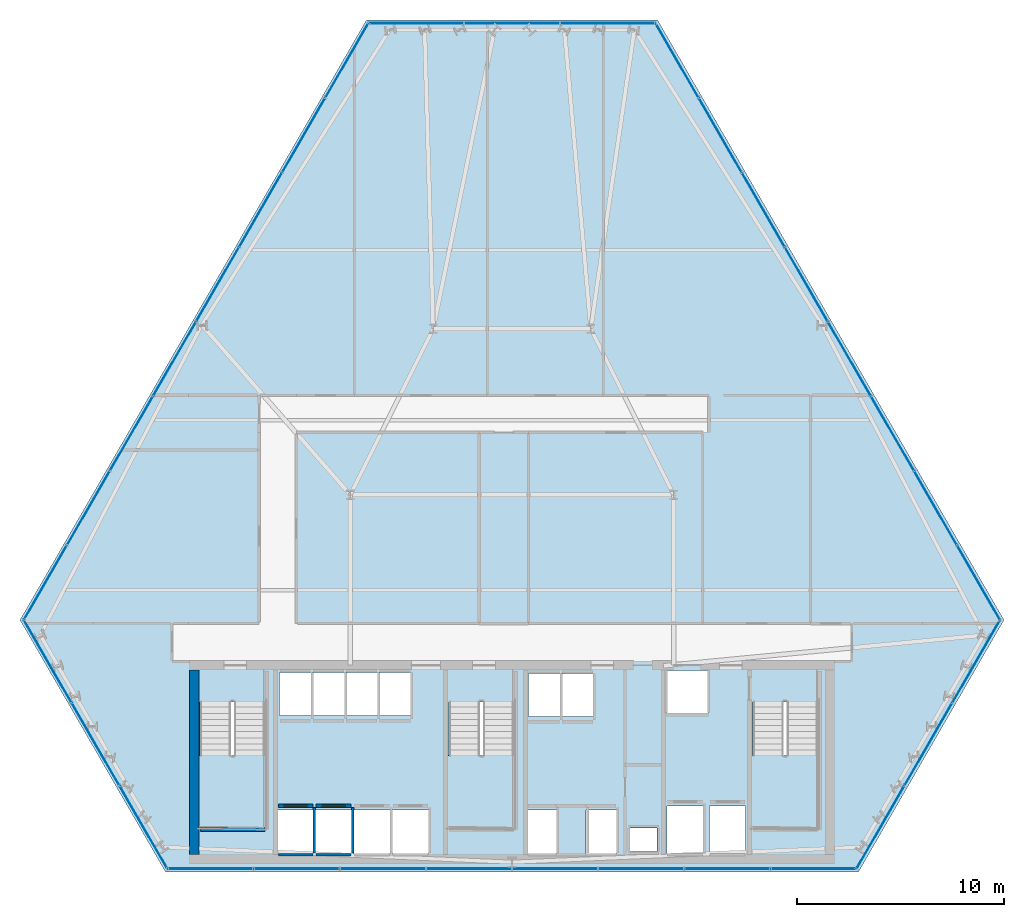
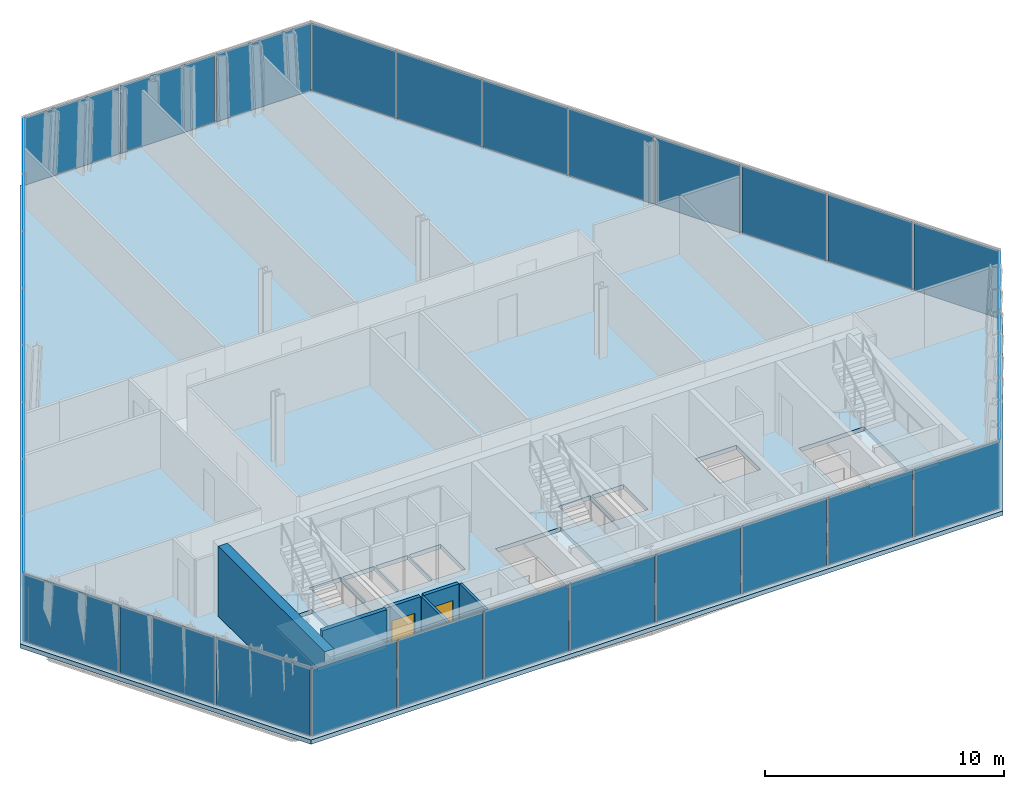
# One storey, part 26 of 32: 33 plates, 8 walls, 4 slabs, 2 doors, 2 openings, 9 elements without a shape of their own.
"""IFC4 building model written with IfcOpenShell, lengths in metres."""

from ifc_helpers import new_model, si_unit, direction, frame, frame_2d, origin, origin_2d, place, context, subcontext, project, spatial, polyline, rectangle, outline, extrude, material, layer, layer_set, type_object, element, fill, aggregate, save


model = new_model("IFC4")

# Units and contexts
model_context = context("Model", 3, precision=1e-05, world=origin(), true_north=direction((0.0, 1.0)))
body_context = subcontext(model_context, "Body", "Model", "MODEL_VIEW")
ifc_project = project(units=[si_unit("LENGTHUNIT", "METRE"), si_unit("AREAUNIT", "SQUARE_METRE"), si_unit("VOLUMEUNIT", "CUBIC_METRE"), si_unit("PLANEANGLEUNIT", "RADIAN"), si_unit("MASSUNIT", "GRAM", prefix="KILO")], contexts=[model_context])

# Site, building, storey
site_placement = place(None, origin())
site = spatial("IfcSite", under=ifc_project, at=site_placement, CompositionType="ELEMENT")
building_placement = place(site_placement, origin())
building = spatial("IfcBuilding", under=site, at=building_placement, Name="Ndaravel Arena Tower", CompositionType="ELEMENT")
storey_placement = place(building_placement, frame((0.0, 0.0, 96.800048828125)))
storey = spatial("IfcBuildingStorey", under=building, at=storey_placement, Name="L22", CompositionType="ELEMENT", Elevation=96.800048828125)

# Curtain wall, plate
ifc_material_1 = material(Name="Aluminium", Category="aluminium")
ifc_layer_1 = layer(ifc_material_1, 0.179931640625)
ifc_layer_set_1 = layer_set([ifc_layer_1], Name="Aluminium")
curtain_wall_type_1 = type_object("IfcCurtainWallType", Name="CW-SYS-01", PredefinedType="NOTDEFINED", material=ifc_layer_set_1)
curtain_wall_1_placement = place(storey_placement, origin())
curtain_wall_1 = element("IfcCurtainWall", 1, at=curtain_wall_1_placement, inside=storey, type_object=curtain_wall_type_1, Name="L22 Faceted Crystal Curtain Wall CW-L22-E02", PredefinedType="NOTDEFINED")
ifc_material_2 = material(Name="Glazing", Category="glass")
ifc_layer_2 = layer(ifc_material_2, 0.035888671875)
ifc_layer_set_2 = layer_set([ifc_layer_2], Name="Glazing")
plate_type_1 = type_object("IfcPlateType", Name="PLT-CW-OPVENT", PredefinedType="CURTAIN_PANEL", material=ifc_layer_set_2)
plate_1_placement = place(storey_placement, frame((62.07666015625, 11.160400390625, 0.06005859375), z_axis=(0.0, 0.0, 1.0), x_axis=(0.5, 0.866025403784, 0.0)))
plate_1 = element("IfcPlate", 2, at=plate_1_placement, type_object=plate_type_1, Name="CW-L22-E02 Operable Vent Sash Panel 02", PredefinedType="CURTAIN_PANEL", context=body_context, shape_type="SweptSolid", body=[
    extrude(rectangle(XDim=4.5390625, YDim=0.035888671875, at=origin_2d()), origin(), (0.0, 0.0, 1.0), 3.4599609375),
])

curtain_wall_2_placement = place(storey_placement, origin())
curtain_wall_2 = element("IfcCurtainWall", 3, at=curtain_wall_2_placement, inside=storey, type_object=curtain_wall_type_1, Name="L22 Faceted Crystal Curtain Wall CW-L22-E04", PredefinedType="NOTDEFINED")
plate_2_placement = place(storey_placement, frame((42.0, 45.93408203125, 0.06005859375), z_axis=(0.0, 0.0, 1.0), x_axis=(-1.0, 0.0, 0.0)))
plate_2 = element("IfcPlate", 4, at=plate_2_placement, type_object=plate_type_1, Name="CW-L22-E04 Operable Vent Sash Panel 02", PredefinedType="CURTAIN_PANEL", context=body_context, shape_type="SweptSolid", body=[
    extrude(rectangle(XDim=4.5390625, YDim=0.035888671875, at=origin_2d()), origin(), (0.0, 0.0, 1.0), 3.4599609375),
])

ifc_material_3 = material(Name="Aluminium", Category="aluminium")
ifc_layer_3 = layer(ifc_material_3, 0.179931640625)
ifc_layer_set_3 = layer_set([ifc_layer_3], Name="Aluminium")
curtain_wall_type_2 = type_object("IfcCurtainWallType", Name="CW-SYS-02", PredefinedType="NOTDEFINED", material=ifc_layer_set_3)
curtain_wall_3_placement = place(storey_placement, origin())
curtain_wall_3 = element("IfcCurtainWall", 5, at=curtain_wall_3_placement, inside=storey, type_object=curtain_wall_type_2, Name="L22 Faceted Crystal Curtain Wall CW-L22-E06", PredefinedType="NOTDEFINED")
plate_3_placement = place(storey_placement, frame((21.92333984375, 11.160400390625, 0.06005859375), z_axis=(0.0, 0.0, 1.0), x_axis=(0.5, -0.866025403784, 0.0)))
plate_3 = element("IfcPlate", 6, at=plate_3_placement, type_object=plate_type_1, Name="CW-L22-E06 Operable Vent Sash Panel 02", PredefinedType="CURTAIN_PANEL", context=body_context, shape_type="SweptSolid", body=[
    extrude(rectangle(XDim=4.5390625, YDim=0.035888671875, at=origin_2d()), origin(), (0.0, 0.0, 1.0), 3.4599609375),
])

# Plate
ifc_material_4 = material(Name="Glazing", Category="glass")
ifc_layer_4 = layer(ifc_material_4, 0.031982421875)
ifc_layer_set_4 = layer_set([ifc_layer_4], Name="Glazing")
plate_type_2 = type_object("IfcPlateType", Name="PLT-GLZ-FRIT35", PredefinedType="CURTAIN_PANEL", material=ifc_layer_set_4)
plate_4_placement = place(storey_placement, frame((59.76708984375, 7.16015625, 0.06005859375), z_axis=(0.0, 0.0, 1.0), x_axis=(0.5, 0.866025403784, 0.0)))
plate_4 = element("IfcPlate", 7, at=plate_4_placement, type_object=plate_type_2, Name="CW-L22-E02 Vision Glass Panel 01", PredefinedType="CURTAIN_PANEL", context=body_context, shape_type="SweptSolid", body=[
    extrude(rectangle(XDim=4.5390625, YDim=0.035888671875, at=origin_2d()), origin(), (0.0, 0.0, 1.0), 3.4599609375),
])

plate_5_placement = place(storey_placement, frame((64.385986328125, 15.16064453125, 0.06005859375), z_axis=(0.0, 0.0, 1.0), x_axis=(0.5, 0.866025403784, 0.0)))
plate_5 = element("IfcPlate", 8, at=plate_5_placement, type_object=plate_type_2, Name="CW-L22-E02 Vision Glass Panel 03", PredefinedType="CURTAIN_PANEL", context=body_context, shape_type="SweptSolid", body=[
    extrude(rectangle(XDim=4.5390625, YDim=0.035888671875, at=origin_2d()), origin(), (0.0, 0.0, 1.0), 3.4599609375),
])

aggregate(curtain_wall_1, [plate_4, plate_1, plate_5])

plate_6_placement = place(storey_placement, frame((46.619140625, 45.93408203125, 0.06005859375), z_axis=(0.0, 0.0, 1.0), x_axis=(-1.0, 0.0, 0.0)))
plate_6 = element("IfcPlate", 9, at=plate_6_placement, type_object=plate_type_2, Name="CW-L22-E04 Vision Glass Panel 01", PredefinedType="CURTAIN_PANEL", context=body_context, shape_type="SweptSolid", body=[
    extrude(rectangle(XDim=4.5390625, YDim=0.035888671875, at=origin_2d()), origin(), (0.0, 0.0, 1.0), 3.4599609375),
])

plate_7_placement = place(storey_placement, frame((37.380859375, 45.93408203125, 0.06005859375), z_axis=(0.0, 0.0, 1.0), x_axis=(-1.0, 0.0, 0.0)))
plate_7 = element("IfcPlate", 10, at=plate_7_placement, type_object=plate_type_2, Name="CW-L22-E04 Vision Glass Panel 03", PredefinedType="CURTAIN_PANEL", context=body_context, shape_type="SweptSolid", body=[
    extrude(rectangle(XDim=4.5390625, YDim=0.035888671875, at=origin_2d()), origin(), (0.0, 0.0, 1.0), 3.4599609375),
])

aggregate(curtain_wall_2, [plate_6, plate_2, plate_7])

ifc_material_5 = material(Name="Glazing", Category="glass")
ifc_layer_5 = layer(ifc_material_5, 0.035888671875)
ifc_layer_set_5 = layer_set([ifc_layer_5], Name="Glazing")
plate_type_3 = type_object("IfcPlateType", Name="PLT-GLZ-FRIT55", PredefinedType="CURTAIN_PANEL", material=ifc_layer_set_5)
plate_8_placement = place(storey_placement, frame((19.614013671875, 15.16064453125, 0.06005859375), z_axis=(0.0, 0.0, 1.0), x_axis=(0.5, -0.866025403784, 0.0)))
plate_8 = element("IfcPlate", 11, at=plate_8_placement, type_object=plate_type_3, Name="CW-L22-E06 Vision Glass Panel 01", PredefinedType="CURTAIN_PANEL", context=body_context, shape_type="SweptSolid", body=[
    extrude(rectangle(XDim=4.5390625, YDim=0.035888671875, at=origin_2d()), origin(), (0.0, 0.0, 1.0), 3.4599609375),
])

plate_9_placement = place(storey_placement, frame((24.23291015625, 7.16015625, 0.06005859375), z_axis=(0.0, 0.0, 1.0), x_axis=(0.5, -0.866025403784, 0.0)))
plate_9 = element("IfcPlate", 12, at=plate_9_placement, type_object=plate_type_3, Name="CW-L22-E06 Vision Glass Panel 03", PredefinedType="CURTAIN_PANEL", context=body_context, shape_type="SweptSolid", body=[
    extrude(rectangle(XDim=4.5390625, YDim=0.035888671875, at=origin_2d()), origin(), (0.0, 0.0, 1.0), 3.4599609375),
])

aggregate(curtain_wall_3, [plate_8, plate_3, plate_9])

# Curtain wall, plates
ifc_material_6 = material(Name="Aluminium", Category="aluminium")
ifc_layer_6 = layer(ifc_material_6, 0.179931640625)
ifc_layer_set_6 = layer_set([ifc_layer_6], Name="Aluminium")
curtain_wall_type_3 = type_object("IfcCurtainWallType", Name="CW-SYS-03", PredefinedType="NOTDEFINED", material=ifc_layer_set_6)
curtain_wall_4_placement = place(storey_placement, origin())
curtain_wall_4 = element("IfcCurtainWall", 13, at=curtain_wall_4_placement, inside=storey, type_object=curtain_wall_type_3, Name="L22 Faceted Crystal Curtain Wall CW-L22-E01", PredefinedType="NOTDEFINED")
ifc_material_7 = material(Name="Glazing", Category="glass")
ifc_layer_7 = layer(ifc_material_7, 0.0400390625)
ifc_layer_set_7 = layer_set([ifc_layer_7], Name="Glazing")
plate_type_4 = type_object("IfcPlateType", Name="PLT-GLZ-LOWIRON", PredefinedType="CURTAIN_PANEL", material=ifc_layer_set_7)
plate_10_placement = place(storey_placement, frame((27.464111328125, 5.159912109375, 0.06005859375), z_axis=(0.0, 0.0, 1.0), x_axis=(1.0, 0.0, 0.0)))
plate_10 = element("IfcPlate", 14, at=plate_10_placement, type_object=plate_type_4, Name="CW-L22-E01 Vision Glass Panel 01", PredefinedType="CURTAIN_PANEL", context=body_context, shape_type="SweptSolid", body=[
    extrude(rectangle(XDim=4.072998046875, YDim=0.035888671875, at=origin_2d()), origin(), (0.0, 0.0, 1.0), 3.4599609375),
])
plate_11_placement = place(storey_placement, frame((31.6171875, 5.159912109375, 0.06005859375), z_axis=(0.0, 0.0, 1.0), x_axis=(1.0, 0.0, 0.0)))
plate_11 = element("IfcPlate", 15, at=plate_11_placement, type_object=plate_type_4, Name="CW-L22-E01 Vision Glass Panel 02", PredefinedType="CURTAIN_PANEL", context=body_context, shape_type="SweptSolid", body=[
    extrude(rectangle(XDim=4.072998046875, YDim=0.035888671875, at=origin_2d()), origin(), (0.0, 0.0, 1.0), 3.4599609375),
])
plate_12_placement = place(storey_placement, frame((35.7705078125, 5.159912109375, 0.06005859375), z_axis=(0.0, 0.0, 1.0), x_axis=(1.0, 0.0, 0.0)))
plate_12 = element("IfcPlate", 16, at=plate_12_placement, type_object=plate_type_4, Name="CW-L22-E01 Vision Glass Panel 03", PredefinedType="CURTAIN_PANEL", context=body_context, shape_type="SweptSolid", body=[
    extrude(rectangle(XDim=4.072998046875, YDim=0.035888671875, at=origin_2d()), origin(), (0.0, 0.0, 1.0), 3.4599609375),
])
plate_13_placement = place(storey_placement, frame((39.923583984375, 5.159912109375, 0.06005859375), z_axis=(0.0, 0.0, 1.0), x_axis=(1.0, 0.0, 0.0)))
plate_13 = element("IfcPlate", 17, at=plate_13_placement, type_object=plate_type_4, Name="CW-L22-E01 Vision Glass Panel 04", PredefinedType="CURTAIN_PANEL", context=body_context, shape_type="SweptSolid", body=[
    extrude(rectangle(XDim=4.072998046875, YDim=0.035888671875, at=origin_2d()), origin(), (0.0, 0.0, 1.0), 3.4599609375),
])
plate_14_placement = place(storey_placement, frame((44.076416015625, 5.159912109375, 0.06005859375), z_axis=(0.0, 0.0, 1.0), x_axis=(1.0, 0.0, 0.0)))
plate_14 = element("IfcPlate", 18, at=plate_14_placement, type_object=plate_type_4, Name="CW-L22-E01 Vision Glass Panel 05", PredefinedType="CURTAIN_PANEL", context=body_context, shape_type="SweptSolid", body=[
    extrude(rectangle(XDim=4.072998046875, YDim=0.035888671875, at=origin_2d()), origin(), (0.0, 0.0, 1.0), 3.4599609375),
])
plate_15_placement = place(storey_placement, frame((48.2294921875, 5.159912109375, 0.06005859375), z_axis=(0.0, 0.0, 1.0), x_axis=(1.0, 0.0, 0.0)))
plate_15 = element("IfcPlate", 19, at=plate_15_placement, type_object=plate_type_4, Name="CW-L22-E01 Vision Glass Panel 06", PredefinedType="CURTAIN_PANEL", context=body_context, shape_type="SweptSolid", body=[
    extrude(rectangle(XDim=4.072998046875, YDim=0.035888671875, at=origin_2d()), origin(), (0.0, 0.0, 1.0), 3.4599609375),
])
plate_16_placement = place(storey_placement, frame((52.3828125, 5.159912109375, 0.06005859375), z_axis=(0.0, 0.0, 1.0), x_axis=(1.0, 0.0, 0.0)))
plate_16 = element("IfcPlate", 20, at=plate_16_placement, type_object=plate_type_4, Name="CW-L22-E01 Vision Glass Panel 07", PredefinedType="CURTAIN_PANEL", context=body_context, shape_type="SweptSolid", body=[
    extrude(rectangle(XDim=4.072998046875, YDim=0.035888671875, at=origin_2d()), origin(), (0.0, 0.0, 1.0), 3.4599609375),
])
plate_17_placement = place(storey_placement, frame((56.535888671875, 5.159912109375, 0.06005859375), z_axis=(0.0, 0.0, 1.0), x_axis=(1.0, 0.0, 0.0)))
plate_17 = element("IfcPlate", 21, at=plate_17_placement, type_object=plate_type_4, Name="CW-L22-E01 Vision Glass Panel 08", PredefinedType="CURTAIN_PANEL", context=body_context, shape_type="SweptSolid", body=[
    extrude(rectangle(XDim=4.072998046875, YDim=0.035888671875, at=origin_2d()), origin(), (0.0, 0.0, 1.0), 3.4599609375),
])
aggregate(curtain_wall_4, [plate_10, plate_11, plate_12, plate_13, plate_14, plate_15, plate_16, plate_17])

curtain_wall_5_placement = place(storey_placement, origin())
curtain_wall_5 = element("IfcCurtainWall", 22, at=curtain_wall_5_placement, inside=storey, type_object=curtain_wall_type_3, Name="L22 Faceted Crystal Curtain Wall CW-L22-E03", PredefinedType="NOTDEFINED")
plate_18_placement = place(storey_placement, frame((64.502685546875, 18.958984375, 0.06005859375), z_axis=(0.0, 0.0, 1.0), x_axis=(-0.5, 0.866025403784, 0.0)))
plate_18 = element("IfcPlate", 23, at=plate_18_placement, type_object=plate_type_4, Name="CW-L22-E03 Vision Glass Panel 01", PredefinedType="CURTAIN_PANEL", context=body_context, shape_type="SweptSolid", body=[
    extrude(rectangle(XDim=4.072998046875, YDim=0.035888671875, at=origin_2d()), origin(), (0.0, 0.0, 1.0), 3.4599609375),
])
plate_19_placement = place(storey_placement, frame((62.426025390625, 22.5556640625, 0.06005859375), z_axis=(0.0, 0.0, 1.0), x_axis=(-0.5, 0.866025403784, 0.0)))
plate_19 = element("IfcPlate", 24, at=plate_19_placement, type_object=plate_type_4, Name="CW-L22-E03 Vision Glass Panel 02", PredefinedType="CURTAIN_PANEL", context=body_context, shape_type="SweptSolid", body=[
    extrude(rectangle(XDim=4.072998046875, YDim=0.035888671875, at=origin_2d()), origin(), (0.0, 0.0, 1.0), 3.4599609375),
])
plate_20_placement = place(storey_placement, frame((60.349609375, 26.15234375, 0.06005859375), z_axis=(0.0, 0.0, 1.0), x_axis=(-0.5, 0.866025403784, 0.0)))
plate_20 = element("IfcPlate", 25, at=plate_20_placement, type_object=plate_type_4, Name="CW-L22-E03 Vision Glass Panel 03", PredefinedType="CURTAIN_PANEL", context=body_context, shape_type="SweptSolid", body=[
    extrude(rectangle(XDim=4.072998046875, YDim=0.035888671875, at=origin_2d()), origin(), (0.0, 0.0, 1.0), 3.4599609375),
])
plate_21_placement = place(storey_placement, frame((58.27294921875, 29.7490234375, 0.06005859375), z_axis=(0.0, 0.0, 1.0), x_axis=(-0.5, 0.866025403784, 0.0)))
plate_21 = element("IfcPlate", 26, at=plate_21_placement, type_object=plate_type_4, Name="CW-L22-E03 Vision Glass Panel 04", PredefinedType="CURTAIN_PANEL", context=body_context, shape_type="SweptSolid", body=[
    extrude(rectangle(XDim=4.072998046875, YDim=0.035888671875, at=origin_2d()), origin(), (0.0, 0.0, 1.0), 3.4599609375),
])
plate_22_placement = place(storey_placement, frame((56.196533203125, 33.345703125, 0.06005859375), z_axis=(0.0, 0.0, 1.0), x_axis=(-0.5, 0.866025403784, 0.0)))
plate_22 = element("IfcPlate", 27, at=plate_22_placement, type_object=plate_type_4, Name="CW-L22-E03 Vision Glass Panel 05", PredefinedType="CURTAIN_PANEL", context=body_context, shape_type="SweptSolid", body=[
    extrude(rectangle(XDim=4.072998046875, YDim=0.035888671875, at=origin_2d()), origin(), (0.0, 0.0, 1.0), 3.4599609375),
])
plate_23_placement = place(storey_placement, frame((54.119873046875, 36.9423828125, 0.06005859375), z_axis=(0.0, 0.0, 1.0), x_axis=(-0.5, 0.866025403784, 0.0)))
plate_23 = element("IfcPlate", 28, at=plate_23_placement, type_object=plate_type_4, Name="CW-L22-E03 Vision Glass Panel 06", PredefinedType="CURTAIN_PANEL", context=body_context, shape_type="SweptSolid", body=[
    extrude(rectangle(XDim=4.072998046875, YDim=0.035888671875, at=origin_2d()), origin(), (0.0, 0.0, 1.0), 3.4599609375),
])
plate_24_placement = place(storey_placement, frame((52.04345703125, 40.5390625, 0.06005859375), z_axis=(0.0, 0.0, 1.0), x_axis=(-0.5, 0.866025403784, 0.0)))
plate_24 = element("IfcPlate", 29, at=plate_24_placement, type_object=plate_type_4, Name="CW-L22-E03 Vision Glass Panel 07", PredefinedType="CURTAIN_PANEL", context=body_context, shape_type="SweptSolid", body=[
    extrude(rectangle(XDim=4.072998046875, YDim=0.035888671875, at=origin_2d()), origin(), (0.0, 0.0, 1.0), 3.4599609375),
])
plate_25_placement = place(storey_placement, frame((49.966796875, 44.1357421875, 0.06005859375), z_axis=(0.0, 0.0, 1.0), x_axis=(-0.5, 0.866025403784, 0.0)))
plate_25 = element("IfcPlate", 30, at=plate_25_placement, type_object=plate_type_4, Name="CW-L22-E03 Vision Glass Panel 08", PredefinedType="CURTAIN_PANEL", context=body_context, shape_type="SweptSolid", body=[
    extrude(rectangle(XDim=4.072998046875, YDim=0.035888671875, at=origin_2d()), origin(), (0.0, 0.0, 1.0), 3.4599609375),
])
aggregate(curtain_wall_5, [plate_18, plate_19, plate_20, plate_21, plate_22, plate_23, plate_24, plate_25])

curtain_wall_6_placement = place(storey_placement, origin())
curtain_wall_6 = element("IfcCurtainWall", 31, at=curtain_wall_6_placement, inside=storey, type_object=curtain_wall_type_3, Name="L22 Faceted Crystal Curtain Wall CW-L22-E05", PredefinedType="NOTDEFINED")
plate_26_placement = place(storey_placement, frame((34.033203125, 44.1357421875, 0.06005859375), z_axis=(0.0, 0.0, 1.0), x_axis=(-0.5, -0.866025403784, 0.0)))
plate_26 = element("IfcPlate", 32, at=plate_26_placement, type_object=plate_type_4, Name="CW-L22-E05 Vision Glass Panel 01", PredefinedType="CURTAIN_PANEL", context=body_context, shape_type="SweptSolid", body=[
    extrude(rectangle(XDim=4.072998046875, YDim=0.035888671875, at=origin_2d()), origin(), (0.0, 0.0, 1.0), 3.4599609375),
])
plate_27_placement = place(storey_placement, frame((31.95654296875, 40.5390625, 0.06005859375), z_axis=(0.0, 0.0, 1.0), x_axis=(-0.5, -0.866025403784, 0.0)))
plate_27 = element("IfcPlate", 33, at=plate_27_placement, type_object=plate_type_4, Name="CW-L22-E05 Vision Glass Panel 02", PredefinedType="CURTAIN_PANEL", context=body_context, shape_type="SweptSolid", body=[
    extrude(rectangle(XDim=4.072998046875, YDim=0.035888671875, at=origin_2d()), origin(), (0.0, 0.0, 1.0), 3.4599609375),
])
plate_28_placement = place(storey_placement, frame((29.880126953125, 36.9423828125, 0.06005859375), z_axis=(0.0, 0.0, 1.0), x_axis=(-0.5, -0.866025403784, 0.0)))
plate_28 = element("IfcPlate", 34, at=plate_28_placement, type_object=plate_type_4, Name="CW-L22-E05 Vision Glass Panel 03", PredefinedType="CURTAIN_PANEL", context=body_context, shape_type="SweptSolid", body=[
    extrude(rectangle(XDim=4.072998046875, YDim=0.035888671875, at=origin_2d()), origin(), (0.0, 0.0, 1.0), 3.4599609375),
])
plate_29_placement = place(storey_placement, frame((27.803466796875, 33.345703125, 0.06005859375), z_axis=(0.0, 0.0, 1.0), x_axis=(-0.5, -0.866025403784, 0.0)))
plate_29 = element("IfcPlate", 35, at=plate_29_placement, type_object=plate_type_4, Name="CW-L22-E05 Vision Glass Panel 04", PredefinedType="CURTAIN_PANEL", context=body_context, shape_type="SweptSolid", body=[
    extrude(rectangle(XDim=4.072998046875, YDim=0.035888671875, at=origin_2d()), origin(), (0.0, 0.0, 1.0), 3.4599609375),
])
plate_30_placement = place(storey_placement, frame((25.72705078125, 29.7490234375, 0.06005859375), z_axis=(0.0, 0.0, 1.0), x_axis=(-0.5, -0.866025403784, 0.0)))
plate_30 = element("IfcPlate", 36, at=plate_30_placement, type_object=plate_type_4, Name="CW-L22-E05 Vision Glass Panel 05", PredefinedType="CURTAIN_PANEL", context=body_context, shape_type="SweptSolid", body=[
    extrude(rectangle(XDim=4.072998046875, YDim=0.035888671875, at=origin_2d()), origin(), (0.0, 0.0, 1.0), 3.4599609375),
])
plate_31_placement = place(storey_placement, frame((23.650390625, 26.15234375, 0.06005859375), z_axis=(0.0, 0.0, 1.0), x_axis=(-0.5, -0.866025403784, 0.0)))
plate_31 = element("IfcPlate", 37, at=plate_31_placement, type_object=plate_type_4, Name="CW-L22-E05 Vision Glass Panel 06", PredefinedType="CURTAIN_PANEL", context=body_context, shape_type="SweptSolid", body=[
    extrude(rectangle(XDim=4.072998046875, YDim=0.035888671875, at=origin_2d()), origin(), (0.0, 0.0, 1.0), 3.4599609375),
])
plate_32_placement = place(storey_placement, frame((21.573974609375, 22.5556640625, 0.06005859375), z_axis=(0.0, 0.0, 1.0), x_axis=(-0.5, -0.866025403784, 0.0)))
plate_32 = element("IfcPlate", 38, at=plate_32_placement, type_object=plate_type_4, Name="CW-L22-E05 Vision Glass Panel 07", PredefinedType="CURTAIN_PANEL", context=body_context, shape_type="SweptSolid", body=[
    extrude(rectangle(XDim=4.072998046875, YDim=0.035888671875, at=origin_2d()), origin(), (0.0, 0.0, 1.0), 3.4599609375),
])
plate_33_placement = place(storey_placement, frame((19.497314453125, 18.958984375, 0.06005859375), z_axis=(0.0, 0.0, 1.0), x_axis=(-0.5, -0.866025403784, 0.0)))
plate_33 = element("IfcPlate", 39, at=plate_33_placement, type_object=plate_type_4, Name="CW-L22-E05 Vision Glass Panel 08", PredefinedType="CURTAIN_PANEL", context=body_context, shape_type="SweptSolid", body=[
    extrude(rectangle(XDim=4.072998046875, YDim=0.035888671875, at=origin_2d()), origin(), (0.0, 0.0, 1.0), 3.4599609375),
])
aggregate(curtain_wall_6, [plate_26, plate_27, plate_28, plate_29, plate_30, plate_31, plate_32, plate_33])

# Stair, slab
ifc_material_8 = material(Name="Concrete C40/50", Category="concrete")
stair_type = type_object("IfcStairType", Name="STAIR-CORE-HT", PredefinedType="HALF_TURN_STAIR", material=ifc_material_8)
stair_1_placement = place(storey_placement, origin())
stair_1 = element("IfcStair", 40, at=stair_1_placement, inside=storey, type_object=stair_type, Name="L22 ST-1", PredefinedType="HALF_TURN_STAIR")
ifc_material_9 = material(Name="Concrete C40/50", Category="concrete")
ifc_layer_8 = layer(ifc_material_9, 0.199951171875)
ifc_layer_set_8 = layer_set([ifc_layer_8], Name="Concrete C40/50")
slab_type_1 = type_object("IfcSlabType", Name="SLAB-STAIR-LANDING", PredefinedType="LANDING", material=ifc_layer_set_8)
slab_1_placement = place(storey_placement, frame((0.0, 0.0, 1.699951171875)))
slab_1 = element("IfcSlab", 41, at=slab_1_placement, type_object=slab_type_1, Name="ST-1 landing 1", PredefinedType="LANDING", context=body_context, shape_type="SweptSolid", body=[
    extrude(outline(polyline([(26.81005859375, 10.6298828125), (26.81005859375, 7.070068359375), (30.169921875, 7.070068359375), (30.169921875, 10.6298828125), (26.81005859375, 10.6298828125)])), origin(), (0.0, 0.0, 1.0), 0.199951171875),
])
aggregate(stair_1, [slab_1])

stair_2_placement = place(storey_placement, origin())
stair_2 = element("IfcStair", 42, at=stair_2_placement, inside=storey, type_object=stair_type, Name="L22 ST-2", PredefinedType="HALF_TURN_STAIR")
slab_2_placement = place(storey_placement, frame((0.0, 0.0, 1.699951171875)))
slab_2 = element("IfcSlab", 43, at=slab_2_placement, type_object=slab_type_1, Name="ST-2 landing 1", PredefinedType="LANDING", context=body_context, shape_type="SweptSolid", body=[
    extrude(outline(polyline([(38.81005859375, 10.6298828125), (38.81005859375, 7.070068359375), (42.169921875, 7.070068359375), (42.169921875, 10.6298828125), (38.81005859375, 10.6298828125)])), origin(), (0.0, 0.0, 1.0), 0.199951171875),
])
aggregate(stair_2, [slab_2])

stair_3_placement = place(storey_placement, origin())
stair_3 = element("IfcStair", 44, at=stair_3_placement, inside=storey, type_object=stair_type, Name="L22 ST-3", PredefinedType="HALF_TURN_STAIR")
slab_3_placement = place(storey_placement, frame((0.0, 0.0, 1.699951171875)))
slab_3 = element("IfcSlab", 45, at=slab_3_placement, type_object=slab_type_1, Name="ST-3 landing 1", PredefinedType="LANDING", context=body_context, shape_type="SweptSolid", body=[
    extrude(outline(polyline([(53.4599609375, 10.6298828125), (53.4599609375, 7.070068359375), (56.820068359375, 7.070068359375), (56.820068359375, 10.6298828125), (53.4599609375, 10.6298828125)])), origin(), (0.0, 0.0, 1.0), 0.199951171875),
])
aggregate(stair_3, [slab_3])

# Slab
ifc_material_10 = material(Name="Concrete C40/50", Category="concrete")
ifc_layer_9 = layer(ifc_material_10, 0.219970703125)
ifc_layer_set_9 = layer_set([ifc_layer_9], Name="Concrete C40/50")
slab_type_2 = type_object("IfcSlabType", Name="SLAB-TWR-220", PredefinedType="FLOOR", material=ifc_layer_set_9)
slab_4_placement = place(storey_placement, frame((0.0, 0.0, -0.219970703125)))
element("IfcSlab", 46, at=slab_4_placement, inside=storey, type_object=slab_type_2, Name="L22 Structural Floor Slab", PredefinedType="FLOOR", context=body_context, shape_type="SweptSolid", body=[
    extrude(outline(polyline([(18.2744140625, 17.16064453125), (25.29541015625, 5.0), (58.70458984375, 5.0), (65.7255859375, 17.16064453125), (49.02099609375, 46.093994140625), (34.97900390625, 46.093994140625), (18.2744140625, 17.16064453125)]), holes=[polyline([(26.949951171875, 13.215087890625), (26.949951171875, 7.14990234375), (30.090087890625, 7.14990234375), (30.090087890625, 13.215087890625), (26.949951171875, 13.215087890625)]), polyline([(38.949951171875, 13.215087890625), (38.949951171875, 7.14990234375), (42.090087890625, 7.14990234375), (42.090087890625, 13.215087890625), (38.949951171875, 13.215087890625)]), polyline([(53.60009765625, 13.215087890625), (53.60009765625, 7.14990234375), (56.739990234375, 7.14990234375), (56.739990234375, 13.215087890625), (53.60009765625, 13.215087890625)]), polyline([(30.68505859375, 5.909912109375), (32.4150390625, 5.909912109375), (32.4150390625, 7.989990234375), (30.68505859375, 7.989990234375), (30.68505859375, 5.909912109375)]), polyline([(32.534912109375, 5.909912109375), (34.264892578125, 5.909912109375), (34.264892578125, 7.989990234375), (32.534912109375, 7.989990234375), (32.534912109375, 5.909912109375)]), polyline([(34.385009765625, 5.909912109375), (36.114990234375, 5.909912109375), (36.114990234375, 7.989990234375), (34.385009765625, 7.989990234375), (34.385009765625, 5.909912109375)]), polyline([(36.235107421875, 5.909912109375), (37.965087890625, 5.909912109375), (37.965087890625, 7.989990234375), (36.235107421875, 7.989990234375), (36.235107421875, 5.909912109375)]), polyline([(30.784912109375, 12.56005859375), (32.31494140625, 12.56005859375), (32.31494140625, 14.639892578125), (30.784912109375, 14.639892578125), (30.784912109375, 12.56005859375)]), polyline([(32.385009765625, 12.56005859375), (33.9150390625, 12.56005859375), (33.9150390625, 14.639892578125), (32.385009765625, 14.639892578125), (32.385009765625, 12.56005859375)]), polyline([(33.985107421875, 12.56005859375), (35.514892578125, 12.56005859375), (35.514892578125, 14.639892578125), (33.985107421875, 14.639892578125), (33.985107421875, 12.56005859375)]), polyline([(35.5849609375, 12.56005859375), (37.114990234375, 12.56005859375), (37.114990234375, 14.639892578125), (35.5849609375, 14.639892578125), (35.5849609375, 12.56005859375)]), polyline([(42.659912109375, 5.909912109375), (44.139892578125, 5.909912109375), (44.139892578125, 7.989990234375), (42.659912109375, 7.989990234375), (42.659912109375, 5.909912109375)]), polyline([(45.56005859375, 5.909912109375), (47.0400390625, 5.909912109375), (47.0400390625, 7.989990234375), (45.56005859375, 7.989990234375), (45.56005859375, 5.909912109375)]), polyline([(42.784912109375, 12.510009765625), (44.31494140625, 12.510009765625), (44.31494140625, 14.590087890625), (42.784912109375, 14.590087890625), (42.784912109375, 12.510009765625)]), polyline([(44.385009765625, 12.510009765625), (45.9150390625, 12.510009765625), (45.9150390625, 14.590087890625), (44.385009765625, 14.590087890625), (44.385009765625, 12.510009765625)]), polyline([(49.485107421875, 5.909912109375), (51.215087890625, 5.909912109375), (51.215087890625, 8.18994140625), (49.485107421875, 8.18994140625), (49.485107421875, 5.909912109375)]), polyline([(51.534912109375, 5.909912109375), (53.264892578125, 5.909912109375), (53.264892578125, 8.18994140625), (51.534912109375, 8.18994140625), (51.534912109375, 5.909912109375)]), polyline([(49.4599609375, 12.68505859375), (51.43994140625, 12.68505859375), (51.43994140625, 14.715087890625), (49.4599609375, 14.715087890625), (49.4599609375, 12.68505859375)]), polyline([(47.699951171875, 6.0), (49.0, 6.0), (49.0, 7.139892578125), (47.699951171875, 7.139892578125), (47.699951171875, 6.0)])]), origin(), (0.0, 0.0, 1.0), 0.219970703125),
])

# Walls
ifc_material_11 = material(Name="Concrete C60/75", Category="concrete")
ifc_layer_10 = layer(ifc_material_11, 0.449951171875)
ifc_layer_set_10 = layer_set([ifc_layer_10], Name="Concrete C60/75")
wall_type_1 = type_object("IfcWallType", Name="WALL-CORE-450", PredefinedType="SOLIDWALL", material=ifc_layer_set_10)
wall_1_placement = place(storey_placement, frame((26.675048828125, 5.85009765625, 0.0), z_axis=(0.0, 0.0, 1.0), x_axis=(0.0, 1.0, 0.0)))
element("IfcWall", 47, at=wall_1_placement, inside=storey, type_object=wall_type_1, Name="L22 Core West Shear Wall", PredefinedType="SOLIDWALL", context=body_context, shape_type="SweptSolid", body=[
    extrude(rectangle(XDim=8.89990234375, YDim=0.449951171875, at=frame_2d((4.449951171875, 0.0))), origin(), (0.0, 0.0, 1.0), 3.579833984375),
])
ifc_material_12 = material(Name="Concrete C40/50", Category="concrete")
ifc_layer_11 = layer(ifc_material_12, 0.1201171875)
ifc_layer_set_11 = layer_set([ifc_layer_11], Name="Concrete C40/50")
wall_type_2 = type_object("IfcWallType", Name="WALL-SHAFT-120", PredefinedType="SOLIDWALL", material=ifc_layer_set_11)
wall_2_placement = place(storey_placement, frame((30.72998046875, 5.840087890625, 0.0), z_axis=(0.0, 0.0, 1.0), x_axis=(1.0, 0.0, 0.0)))
element("IfcWall", 48, at=wall_2_placement, inside=storey, type_object=wall_type_2, Name="L22 PL-L1 Shaft Rear Wall", PredefinedType="SOLIDWALL", context=body_context, shape_type="SweptSolid", body=[
    extrude(rectangle(XDim=1.6650390625, YDim=0.1201171875, at=frame_2d((0.83251953125, 0.0))), origin(), (0.0, 0.0, 1.0), 2.949951171875),
])
wall_3_placement = place(storey_placement, frame((32.47509765625, 5.929931640625, 0.0), z_axis=(0.0, 0.0, 1.0), x_axis=(0.0, 1.0, 0.0)))
element("IfcWall", 49, at=wall_3_placement, inside=storey, type_object=wall_type_2, Name="L22 PL-L1 Shaft Side R Wall", PredefinedType="SOLIDWALL", context=body_context, shape_type="SweptSolid", body=[
    extrude(rectangle(XDim=2.18017578125, YDim=0.1201171875, at=frame_2d((1.090087890625, 0.0))), origin(), (0.0, 0.0, 1.0), 2.949951171875),
])
wall_4_placement = place(storey_placement, frame((32.554931640625, 5.840087890625, 0.0), z_axis=(0.0, 0.0, 1.0), x_axis=(1.0, 0.0, 0.0)))
element("IfcWall", 50, at=wall_4_placement, inside=storey, type_object=wall_type_2, Name="L22 PL-L2 Shaft Rear Wall", PredefinedType="SOLIDWALL", context=body_context, shape_type="SweptSolid", body=[
    extrude(rectangle(XDim=1.690185546875, YDim=0.1201171875, at=frame_2d((0.84521484375, 0.0))), origin(), (0.0, 0.0, 1.0), 2.949951171875),
])
wall_5_placement = place(storey_placement, frame((34.324951171875, 5.929931640625, 0.0), z_axis=(0.0, 0.0, 1.0), x_axis=(0.0, 1.0, 0.0)))
element("IfcWall", 51, at=wall_5_placement, inside=storey, type_object=wall_type_2, Name="L22 PL-L2 Shaft Side R Wall", PredefinedType="SOLIDWALL", context=body_context, shape_type="SweptSolid", body=[
    extrude(rectangle(XDim=2.18017578125, YDim=0.1201171875, at=frame_2d((1.090087890625, 0.0))), origin(), (0.0, 0.0, 1.0), 2.949951171875),
])
ifc_material_13 = material(Name="Concrete C40/50", Category="concrete")
ifc_layer_12 = layer(ifc_material_13, 0.199951171875)
ifc_layer_set_12 = layer_set([ifc_layer_12], Name="Concrete C40/50")
wall_type_3 = type_object("IfcWallType", Name="WALL-SHAFT-200", PredefinedType="SOLIDWALL", material=ifc_layer_set_12)
wall_6_placement = place(storey_placement, frame((26.969970703125, 7.050048828125, 0.0), z_axis=(0.0, 0.0, 1.0), x_axis=(1.0, 0.0, 0.0)))
element("IfcWall", 52, at=wall_6_placement, inside=storey, type_object=wall_type_3, Name="L22 ST-1 Structural Shaft Wall Far", PredefinedType="SOLIDWALL", context=body_context, shape_type="SweptSolid", body=[
    extrude(rectangle(XDim=3.114990234375, YDim=0.199951171875, at=frame_2d((1.5576171875, 0.0))), origin(), (0.0, 0.0, 1.0), 3.800048828125),
])

# Wall, opening, door
wall_7_placement = place(storey_placement, frame((30.72998046875, 8.199951171875, 0.0), z_axis=(0.0, 0.0, 1.0), x_axis=(1.0, 0.0, 0.0)))
wall_7 = element("IfcWall", 53, at=wall_7_placement, inside=storey, type_object=wall_type_3, Name="L22 PL-L1 Shaft Landing Wall", PredefinedType="SOLIDWALL", context=body_context, shape_type="SweptSolid", body=[
    extrude(rectangle(XDim=1.6650390625, YDim=0.179931640625, at=frame_2d((0.83251953125, 0.0))), origin(), (0.0, 0.0, 1.0), 2.949951171875),
])
opening_1_placement = place(wall_7_placement, frame((0.282470703125, 0.0, 0.0)))
opening_1 = element("IfcOpeningElement", 54, at=opening_1_placement, cuts=wall_7, Name="Opening LD-01", PredefinedType="OPENING", context=body_context, shape_type="SweptSolid", body=[
    extrude(rectangle(XDim=1.10009765625, YDim=2.199951171875, at=frame_2d((0.550048828125, 1.10009765625))), frame((0.0, 0.08984375, 0.0), z_axis=(0.0, -1.0, 0.0), x_axis=(1.0, 0.0, 0.0)), (0.0, 0.0, 1.0), 0.179931640625),
])
ifc_material_14 = material(Name="Steel S355", Category="steel")
door_type = type_object("IfcDoorType", Name="DT-06-LIFT-1100", OperationType="SLIDING_TO_LEFT", PredefinedType="DOOR", material=ifc_material_14)
door_1_placement = place(opening_1_placement, origin())
door_1 = element("IfcDoor", 55, at=door_1_placement, inside=storey, type_object=door_type, Name="L22 Lift PL-L1 Sliding Landing Door", OperationType="SLIDING_TO_LEFT", OverallHeight=2.199951171875, OverallWidth=1.10009765625, PredefinedType="DOOR", context=body_context, shape_type="SweptSolid", body=[
    extrude(rectangle(XDim=1.10009765625, YDim=2.199951171875, at=frame_2d((0.550048828125, 1.10009765625))), frame((0.0, 0.02490234375, 0.0), z_axis=(0.0, -1.0, 0.0), x_axis=(1.0, 0.0, 0.0)), (0.0, 0.0, 1.0), 0.050048828125),
])
fill(opening_1, door_1)

wall_8_placement = place(storey_placement, frame((32.554931640625, 8.199951171875, 0.0), z_axis=(0.0, 0.0, 1.0), x_axis=(1.0, 0.0, 0.0)))
wall_8 = element("IfcWall", 56, at=wall_8_placement, inside=storey, type_object=wall_type_3, Name="L22 PL-L2 Shaft Landing Wall", PredefinedType="SOLIDWALL", context=body_context, shape_type="SweptSolid", body=[
    extrude(rectangle(XDim=1.690185546875, YDim=0.179931640625, at=frame_2d((0.84521484375, 0.0))), origin(), (0.0, 0.0, 1.0), 2.949951171875),
])
opening_2_placement = place(wall_8_placement, frame((0.294921875, 0.0, 0.0)))
opening_2 = element("IfcOpeningElement", 57, at=opening_2_placement, cuts=wall_8, Name="Opening LD-01", PredefinedType="OPENING", context=body_context, shape_type="SweptSolid", body=[
    extrude(rectangle(XDim=1.10009765625, YDim=2.199951171875, at=frame_2d((0.550048828125, 1.10009765625))), frame((0.0, 0.08984375, 0.0), z_axis=(0.0, -1.0, 0.0), x_axis=(1.0, 0.0, 0.0)), (0.0, 0.0, 1.0), 0.179931640625),
])
door_2_placement = place(opening_2_placement, origin())
door_2 = element("IfcDoor", 58, at=door_2_placement, inside=storey, type_object=door_type, Name="L22 Lift PL-L2 Sliding Landing Door", OperationType="SLIDING_TO_LEFT", OverallHeight=2.199951171875, OverallWidth=1.10009765625, PredefinedType="DOOR", context=body_context, shape_type="SweptSolid", body=[
    extrude(rectangle(XDim=1.10009765625, YDim=2.199951171875, at=frame_2d((0.550048828125, 1.10009765625))), frame((0.0, 0.02490234375, 0.0), z_axis=(0.0, -1.0, 0.0), x_axis=(1.0, 0.0, 0.0)), (0.0, 0.0, 1.0), 0.050048828125),
])
fill(opening_2, door_2)

save(model, "model.ifc")
